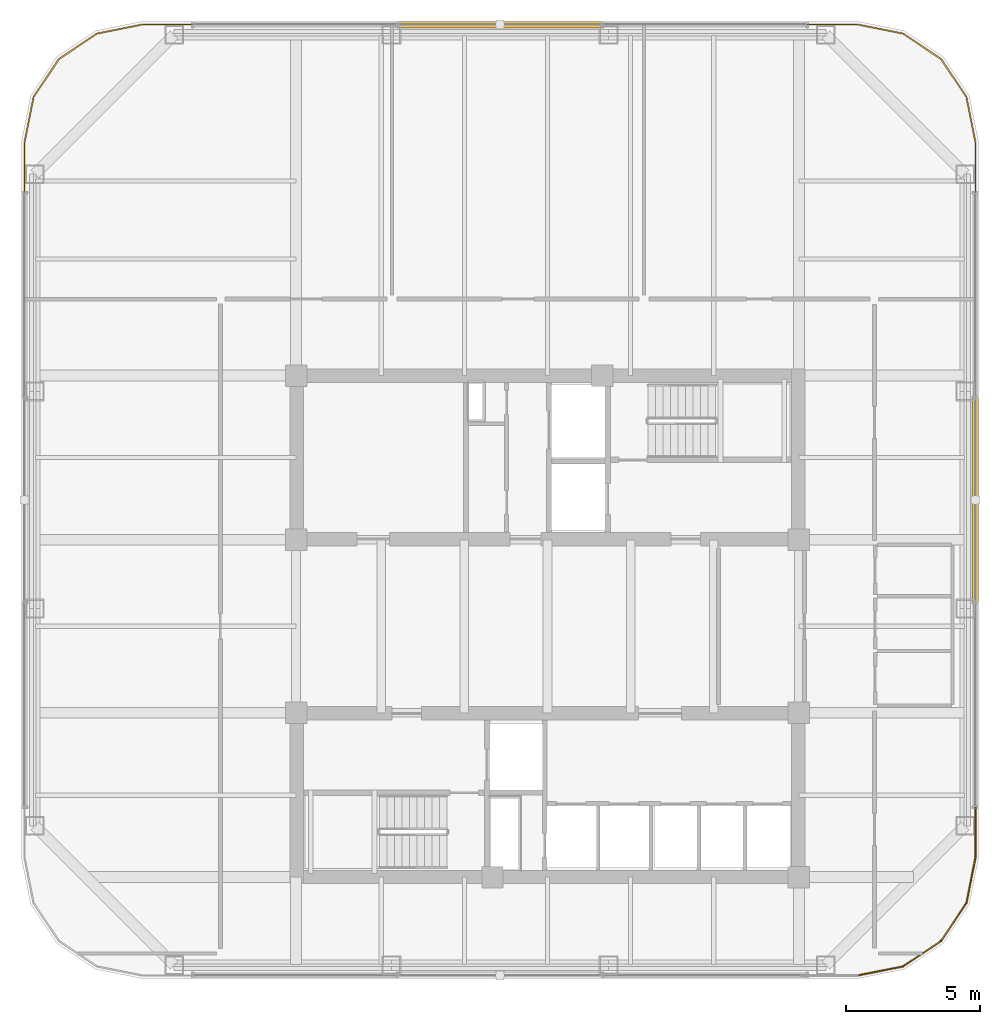
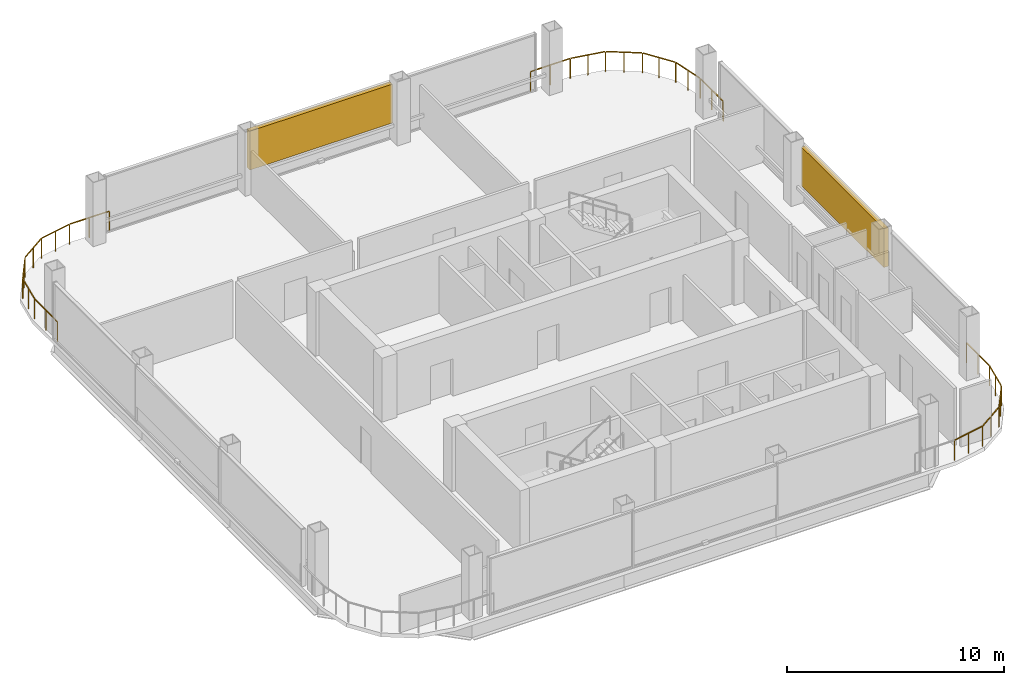
# One storey, part 19 of 19: 3 railings, 2 shading devices.
"""IFC4 building model written with IfcOpenShell, lengths in metres."""

from ifc_helpers import new_model, si_unit, direction, frame, origin, origin_2d, place, context, subcontext, project, spatial, rectangle, extrude, material, type_object, element, save


model = new_model("IFC4")

# Units and contexts
model_context = context("Model", 3, precision=1e-05, world=origin(), true_north=direction((0.0, 1.0)))
body_context = subcontext(model_context, "Body", "Model", "MODEL_VIEW")
ifc_project = project(units=[si_unit("LENGTHUNIT", "METRE"), si_unit("AREAUNIT", "SQUARE_METRE"), si_unit("VOLUMEUNIT", "CUBIC_METRE"), si_unit("PLANEANGLEUNIT", "RADIAN"), si_unit("MASSUNIT", "GRAM", prefix="KILO")], contexts=[model_context])

# Site, building, storey
site_placement = place(None, origin())
site = spatial("IfcSite", under=ifc_project, at=site_placement, CompositionType="ELEMENT")
building_placement = place(site_placement, origin())
building = spatial("IfcBuilding", under=site, at=building_placement, Name="Qhalaya Broadcast Tower", CompositionType="ELEMENT")
storey_placement = place(building_placement, frame((0.0, 0.0, 148.199951171875)))
storey = spatial("IfcBuildingStorey", under=building, at=storey_placement, Name="L43", CompositionType="ELEMENT", Elevation=148.199951171875)

# Railings
ifc_material_1 = material(Name="Powder-Coated Galvanised Steel", Category="steel")
railing_type = type_object("IfcRailingType", Name="Terrace, Sky-Pool & Lookout Glass Balustrade 1150", PredefinedType="BALUSTRADE", material=ifc_material_1)
railing_1_placement = place(storey_placement, frame((-19.5, 16.530029296875, 0.0)))
element("IfcRailing", 1, at=railing_1_placement, inside=storey, type_object=railing_type, Name="L43 Rounded Corner Perimeter Guard 03", PredefinedType="BALUSTRADE", context=body_context, shape_type="SweptSolid", body=[
    extrude(rectangle(XDim=0.048095703125, YDim=0.048095703125, at=origin_2d()), frame((0.0, 0.0, 1.1259765625), z_axis=(0.0, 1.0, 0.0), x_axis=(-1.0, 0.0, 0.0)), (0.0, 0.0, 1.0), 2.08935546875),
    extrude(rectangle(XDim=0.048095703125, YDim=0.048095703125, at=origin_2d()), frame((0.005615234375, 2.146484375, 1.1259765625), z_axis=(0.195024175165, 0.980798435511, 0.0), x_axis=(-0.980798435511, 0.195024175165, 0.0)), (0.0, 0.0, 1.0), 1.662353515625),
    extrude(rectangle(XDim=0.048095703125, YDim=0.048095703125, at=origin_2d()), frame((0.3515625, 3.8291015625, 1.1259765625), z_axis=(0.555524454036, 0.831500199018, 0.0), x_axis=(-0.831500199018, 0.555524454036, 0.0)), (0.0, 0.0, 1.0), 1.650634765625),
    extrude(rectangle(XDim=0.048095703125, YDim=0.048095703125, at=origin_2d()), frame((1.308349609375, 5.24169921875, 1.1259765625), z_axis=(0.831456085426, 0.555590476887, 0.0), x_axis=(-0.555590476887, 0.831456085426, 0.0)), (0.0, 0.0, 1.0), 1.650390625),
    extrude(rectangle(XDim=0.048095703125, YDim=0.048095703125, at=origin_2d()), frame((2.73291015625, 6.18017578125, 1.1259765625), z_axis=(0.980803832953, 0.194997028864, 0.0), x_axis=(-0.194997028864, 0.980803832953, 0.0)), (0.0, 0.0, 1.0), 1.66259765625),
    extrude(rectangle(XDim=0.048095703125, YDim=0.048095703125, at=origin_2d()), frame((4.420654296875, 6.510009765625, 1.1259765625), z_axis=(1.0, 0.0, 0.0), x_axis=(0.0, 1.0, 0.0)), (0.0, 0.0, 1.0), 2.08935546875),
    extrude(rectangle(XDim=0.0419921875, YDim=0.0419921875, at=origin_2d()), origin(), (0.0, 0.0, 1.0), 1.099853515625),
    extrude(rectangle(XDim=0.0419921875, YDim=0.0419921875, at=origin_2d()), frame((0.0, 1.05908203125, 0.0)), (0.0, 0.0, 1.0), 1.099853515625),
    extrude(rectangle(XDim=0.0419921875, YDim=0.0419921875, at=origin_2d()), frame((0.0, 2.1181640625, 0.0)), (0.0, 0.0, 1.0), 1.099853515625),
    extrude(rectangle(XDim=0.0419921875, YDim=0.0419921875, at=origin_2d()), frame((0.167724609375, 2.961669921875, 0.0)), (0.0, 0.0, 1.0), 1.099853515625),
    extrude(rectangle(XDim=0.0419921875, YDim=0.0419921875, at=origin_2d()), frame((0.33544921875, 3.80517578125, 0.0)), (0.0, 0.0, 1.0), 1.099853515625),
    extrude(rectangle(XDim=0.0419921875, YDim=0.0419921875, at=origin_2d()), frame((0.81005859375, 4.515380859375, 0.0)), (0.0, 0.0, 1.0), 1.099853515625),
    extrude(rectangle(XDim=0.0419921875, YDim=0.0419921875, at=origin_2d()), frame((1.284423828125, 5.2255859375, 0.0)), (0.0, 0.0, 1.0), 1.099853515625),
    extrude(rectangle(XDim=0.0419921875, YDim=0.0419921875, at=origin_2d()), frame((1.99462890625, 5.7001953125, 0.0)), (0.0, 0.0, 1.0), 1.099853515625),
    extrude(rectangle(XDim=0.0419921875, YDim=0.0419921875, at=origin_2d()), frame((2.70458984375, 6.174560546875, 0.0)), (0.0, 0.0, 1.0), 1.099853515625),
    extrude(rectangle(XDim=0.0419921875, YDim=0.0419921875, at=origin_2d()), frame((3.54833984375, 6.34228515625, 0.0)), (0.0, 0.0, 1.0), 1.099853515625),
    extrude(rectangle(XDim=0.0419921875, YDim=0.0419921875, at=origin_2d()), frame((4.391845703125, 6.510009765625, 0.0)), (0.0, 0.0, 1.0), 1.099853515625),
    extrude(rectangle(XDim=0.0419921875, YDim=0.0419921875, at=origin_2d()), frame((5.450927734375, 6.510009765625, 0.0)), (0.0, 0.0, 1.0), 1.099853515625),
    extrude(rectangle(XDim=0.0419921875, YDim=0.0419921875, at=origin_2d()), frame((6.510009765625, 6.510009765625, 0.0)), (0.0, 0.0, 1.0), 1.099853515625),
])
railing_2_placement = place(storey_placement, frame((9.449951171875, 23.0400390625, 0.0)))
element("IfcRailing", 2, at=railing_2_placement, inside=storey, type_object=railing_type, Name="L43 Rounded Corner Perimeter Guard 04", PredefinedType="BALUSTRADE", context=body_context, shape_type="SweptSolid", body=[
    extrude(rectangle(XDim=0.048095703125, YDim=0.048095703125, at=origin_2d()), frame((0.0, 0.0, 1.1259765625), z_axis=(1.0, 0.0, 0.0), x_axis=(0.0, 1.0, 0.0)), (0.0, 0.0, 1.0), 2.08935546875),
    extrude(rectangle(XDim=0.048095703125, YDim=0.048095703125, at=origin_2d()), frame((2.146484375, -0.005615234375, 1.1259765625), z_axis=(0.980803832953, -0.194997028864, 0.0), x_axis=(0.194997028864, 0.980803832953, 0.0)), (0.0, 0.0, 1.0), 1.66259765625),
    extrude(rectangle(XDim=0.048095703125, YDim=0.048095703125, at=origin_2d()), frame((3.829345703125, -0.3515625, 1.1259765625), z_axis=(0.831456085426, -0.555590476887, 0.0), x_axis=(0.555590476887, 0.831456085426, 0.0)), (0.0, 0.0, 1.0), 1.650390625),
    extrude(rectangle(XDim=0.048095703125, YDim=0.048095703125, at=origin_2d()), frame((5.24169921875, -1.308349609375, 1.1259765625), z_axis=(0.555524454036, -0.831500199018, 0.0), x_axis=(0.831500199018, 0.555524454036, 0.0)), (0.0, 0.0, 1.0), 1.650634765625),
    extrude(rectangle(XDim=0.048095703125, YDim=0.048095703125, at=origin_2d()), frame((6.18017578125, -2.733154296875, 1.1259765625), z_axis=(0.195024175165, -0.980798435511, 0.0), x_axis=(0.980798435511, 0.195024175165, 0.0)), (0.0, 0.0, 1.0), 1.662353515625),
    extrude(rectangle(XDim=0.048095703125, YDim=0.048095703125, at=origin_2d()), frame((6.510009765625, -4.420654296875, 1.1259765625), z_axis=(0.0, -1.0, 0.0), x_axis=(1.0, 0.0, 0.0)), (0.0, 0.0, 1.0), 2.08935546875),
    extrude(rectangle(XDim=0.0419921875, YDim=0.0419921875, at=origin_2d()), origin(), (0.0, 0.0, 1.0), 1.099853515625),
    extrude(rectangle(XDim=0.0419921875, YDim=0.0419921875, at=origin_2d()), frame((1.05908203125, 0.0, 0.0)), (0.0, 0.0, 1.0), 1.099853515625),
    extrude(rectangle(XDim=0.0419921875, YDim=0.0419921875, at=origin_2d()), frame((2.1181640625, 0.0, 0.0)), (0.0, 0.0, 1.0), 1.099853515625),
    extrude(rectangle(XDim=0.0419921875, YDim=0.0419921875, at=origin_2d()), frame((2.9619140625, -0.167724609375, 0.0)), (0.0, 0.0, 1.0), 1.099853515625),
    extrude(rectangle(XDim=0.0419921875, YDim=0.0419921875, at=origin_2d()), frame((3.805419921875, -0.33544921875, 0.0)), (0.0, 0.0, 1.0), 1.099853515625),
    extrude(rectangle(XDim=0.0419921875, YDim=0.0419921875, at=origin_2d()), frame((4.515625, -0.81005859375, 0.0)), (0.0, 0.0, 1.0), 1.099853515625),
    extrude(rectangle(XDim=0.0419921875, YDim=0.0419921875, at=origin_2d()), frame((5.2255859375, -1.284423828125, 0.0)), (0.0, 0.0, 1.0), 1.099853515625),
    extrude(rectangle(XDim=0.0419921875, YDim=0.0419921875, at=origin_2d()), frame((5.7001953125, -1.99462890625, 0.0)), (0.0, 0.0, 1.0), 1.099853515625),
    extrude(rectangle(XDim=0.0419921875, YDim=0.0419921875, at=origin_2d()), frame((6.174560546875, -2.704833984375, 0.0)), (0.0, 0.0, 1.0), 1.099853515625),
    extrude(rectangle(XDim=0.0419921875, YDim=0.0419921875, at=origin_2d()), frame((6.34228515625, -3.54833984375, 0.0)), (0.0, 0.0, 1.0), 1.099853515625),
    extrude(rectangle(XDim=0.0419921875, YDim=0.0419921875, at=origin_2d()), frame((6.510009765625, -4.391845703125, 0.0)), (0.0, 0.0, 1.0), 1.099853515625),
    extrude(rectangle(XDim=0.0419921875, YDim=0.0419921875, at=origin_2d()), frame((6.510009765625, -5.450927734375, 0.0)), (0.0, 0.0, 1.0), 1.099853515625),
    extrude(rectangle(XDim=0.0419921875, YDim=0.0419921875, at=origin_2d()), frame((6.510009765625, -6.510009765625, 0.0)), (0.0, 0.0, 1.0), 1.099853515625),
])
railing_3_placement = place(storey_placement, frame((15.9599609375, -5.909912109375, 0.0)))
element("IfcRailing", 3, at=railing_3_placement, inside=storey, type_object=railing_type, Name="L43 Rounded Corner Perimeter Guard 05", PredefinedType="BALUSTRADE", context=body_context, shape_type="SweptSolid", body=[
    extrude(rectangle(XDim=0.048095703125, YDim=0.048095703125, at=origin_2d()), frame((0.0, 0.0, 1.1259765625), z_axis=(0.0, -1.0, 0.0), x_axis=(1.0, 0.0, 0.0)), (0.0, 0.0, 1.0), 2.089599609375),
    extrude(rectangle(XDim=0.048095703125, YDim=0.048095703125, at=origin_2d()), frame((-0.005615234375, -2.146728515625, 1.1259765625), z_axis=(-0.195024175165, -0.980798435511, 0.0), x_axis=(0.980798435511, -0.195024175165, 0.0)), (0.0, 0.0, 1.0), 1.662353515625),
    extrude(rectangle(XDim=0.048095703125, YDim=0.048095703125, at=origin_2d()), frame((-0.3515625, -3.829345703125, 1.1259765625), z_axis=(-0.555590476887, -0.831456085426, 0.0), x_axis=(0.831456085426, -0.555590476887, 0.0)), (0.0, 0.0, 1.0), 1.650390625),
    extrude(rectangle(XDim=0.048095703125, YDim=0.048095703125, at=origin_2d()), frame((-1.308349609375, -5.24169921875, 1.1259765625), z_axis=(-0.831456085426, -0.555590476887, 0.0), x_axis=(0.555590476887, -0.831456085426, 0.0)), (0.0, 0.0, 1.0), 1.650390625),
    extrude(rectangle(XDim=0.048095703125, YDim=0.048095703125, at=origin_2d()), frame((-2.73291015625, -6.18017578125, 1.1259765625), z_axis=(-0.980803832953, -0.194997028864, 0.0), x_axis=(0.194997028864, -0.980803832953, 0.0)), (0.0, 0.0, 1.0), 1.69140625),
    extrude(rectangle(XDim=0.0419921875, YDim=0.0419921875, at=origin_2d()), origin(), (0.0, 0.0, 1.0), 1.099853515625),
    extrude(rectangle(XDim=0.0419921875, YDim=0.0419921875, at=origin_2d()), frame((0.0, -1.05908203125, 0.0)), (0.0, 0.0, 1.0), 1.099853515625),
    extrude(rectangle(XDim=0.0419921875, YDim=0.0419921875, at=origin_2d()), frame((0.0, -2.118408203125, 0.0)), (0.0, 0.0, 1.0), 1.099853515625),
    extrude(rectangle(XDim=0.0419921875, YDim=0.0419921875, at=origin_2d()), frame((-0.167724609375, -2.9619140625, 0.0)), (0.0, 0.0, 1.0), 1.099853515625),
    extrude(rectangle(XDim=0.0419921875, YDim=0.0419921875, at=origin_2d()), frame((-0.33544921875, -3.805419921875, 0.0)), (0.0, 0.0, 1.0), 1.099853515625),
    extrude(rectangle(XDim=0.0419921875, YDim=0.0419921875, at=origin_2d()), frame((-0.81005859375, -4.515625, 0.0)), (0.0, 0.0, 1.0), 1.099853515625),
    extrude(rectangle(XDim=0.0419921875, YDim=0.0419921875, at=origin_2d()), frame((-1.284423828125, -5.2255859375, 0.0)), (0.0, 0.0, 1.0), 1.099853515625),
    extrude(rectangle(XDim=0.0419921875, YDim=0.0419921875, at=origin_2d()), frame((-1.99462890625, -5.7001953125, 0.0)), (0.0, 0.0, 1.0), 1.099853515625),
    extrude(rectangle(XDim=0.0419921875, YDim=0.0419921875, at=origin_2d()), frame((-2.70458984375, -6.174560546875, 0.0)), (0.0, 0.0, 1.0), 1.099853515625),
    extrude(rectangle(XDim=0.0419921875, YDim=0.0419921875, at=origin_2d()), frame((-3.54833984375, -6.34228515625, 0.0)), (0.0, 0.0, 1.0), 1.099853515625),
    extrude(rectangle(XDim=0.0419921875, YDim=0.0419921875, at=origin_2d()), frame((-4.391845703125, -6.510009765625, 0.0)), (0.0, 0.0, 1.0), 1.099853515625),
])

# Shading devices
ifc_material_2 = material(Name="Fired Architectural Terracotta", Category="masonry")
shading_device_type = type_object("IfcShadingDeviceType", Name="Terracotta Baguette Solar Screen Assembly TBS-01", PredefinedType="USERDEFINED", material=ifc_material_2)
for number, where, z_axis, x_axis, name in (
    (4, (15.9599609375, 5.31005859375, 0.9013671875), (0.0, 0.0, 1.0), (0.0, 1.0, 0.0), "L43 Fired Terracotta Baguette Screen E"),
    (5, (-1.77001953125, 23.0400390625, 0.9013671875), (0.0, 0.0, 1.0), (-1.0, 0.0, 0.0), "L43 Fired Terracotta Baguette Screen N"),
):
    element("IfcShadingDevice", number, at=place(storey_placement, frame(where, z_axis=z_axis, x_axis=x_axis)), inside=storey, type_object=shading_device_type, Name=name, ObjectType="BAGUETTE", PredefinedType="USERDEFINED", context=body_context, shape_type="SweptSolid", body=[
        extrude(rectangle(XDim=7.60009765625, YDim=0.239990234375, at=origin_2d()), origin(), (0.0, 0.0, 1.0), 2.18994140625),
    ])

save(model, "model.ifc")
